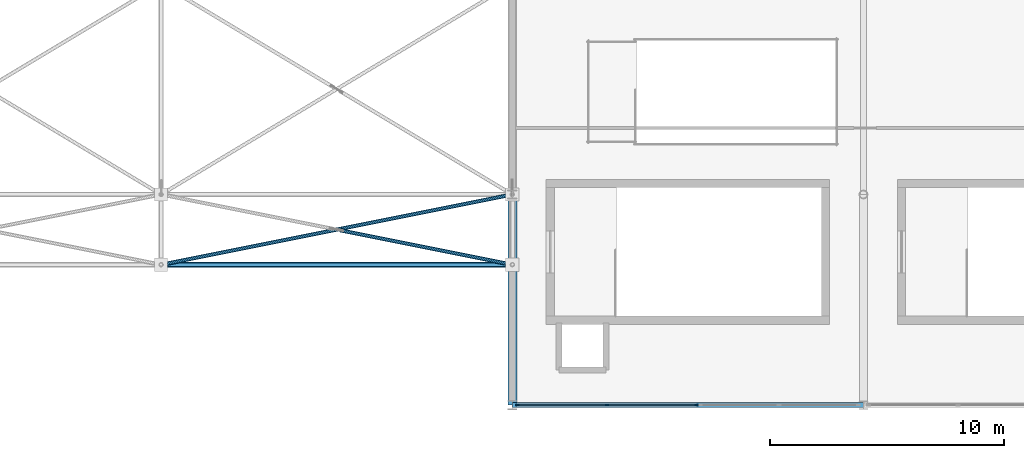
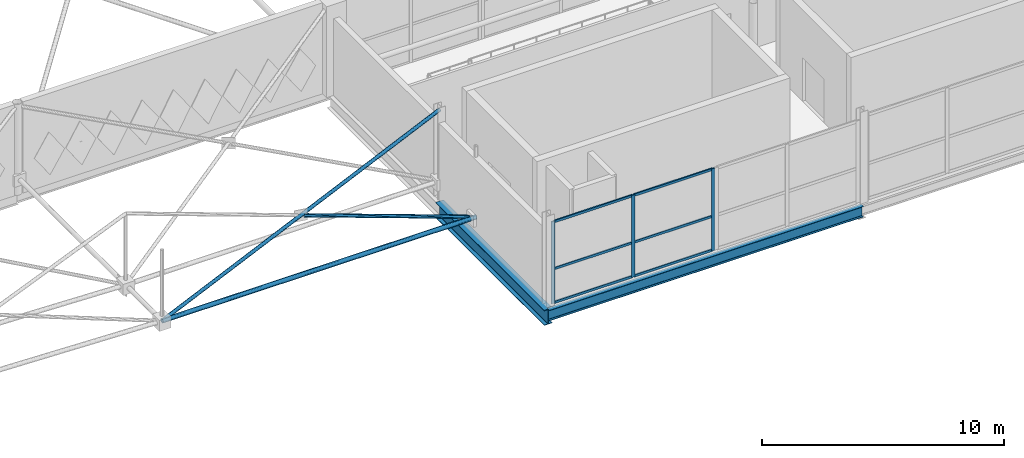
# One storey, part 41 of 224: 12 members, 2 beams, 1 element without a shape of its own.
"""IFC4 building model written with IfcOpenShell, lengths in metres."""

from ifc_helpers import new_model, si_unit, direction, frame, origin, origin_2d, place, context, subcontext, project, spatial, rectangle, hollow_circle, i_section, extrude, material, layer, layer_set, material_profile, profile_set, type_object, element, aggregate, save


model = new_model("IFC4")

# Units and contexts
model_context = context("Model", 3, precision=1e-05, world=origin(), true_north=direction((0.0, 1.0)))
body_context = subcontext(model_context, "Body", "Model", "MODEL_VIEW")
ifc_project = project(units=[si_unit("LENGTHUNIT", "METRE"), si_unit("AREAUNIT", "SQUARE_METRE"), si_unit("VOLUMEUNIT", "CUBIC_METRE"), si_unit("PLANEANGLEUNIT", "RADIAN"), si_unit("MASSUNIT", "GRAM", prefix="KILO")], contexts=[model_context])

# Site, building, storey
site_placement = place(None, origin())
site = spatial("IfcSite", under=ifc_project, at=site_placement, CompositionType="ELEMENT")
building_placement = place(site_placement, origin())
building = spatial("IfcBuilding", under=site, at=building_placement, Name="Qamarlyn Nura Convention Centre", CompositionType="ELEMENT")
storey_placement = place(building_placement, frame((0.0, 0.0, 10.800048828125)))
storey = spatial("IfcBuildingStorey", under=building, at=storey_placement, Name="L02", CompositionType="ELEMENT", Elevation=10.800048828125)

# Beams
ifc_material_1 = material(Name="Steel ASTM A992", Category="steel")
ifc_material_profile_1 = material_profile(ifc_material_1, i_section(OverallWidth=0.381103515625, OverallDepth=0.77294921875, WebThickness=0.0166015625, FlangeThickness=0.027587890625, FilletRadius=0.02001953125, at=origin_2d()), Name="W760X257")
ifc_profile_set_1 = profile_set([ifc_material_profile_1], Name="Steel ASTM A992")
beam_type_1 = type_object("IfcBeamType", Name="BM-GIRD-760", PredefinedType="BEAM", material=ifc_profile_set_1)
beam_1_placement = place(storey_placement, frame((60.0, 0.0, -0.6064453125), z_axis=(0.0, 1.0, 0.0), x_axis=(-1.0, 0.0, 0.0)))
element("IfcBeam", 1, at=beam_1_placement, inside=storey, type_object=beam_type_1, Name="L02 girder 5 A-B", PredefinedType="BEAM", context=body_context, shape_type="SweptSolid", body=[
    extrude(i_section(OverallWidth=0.381103515625, OverallDepth=0.77294921875, WebThickness=0.0166015625, FlangeThickness=0.027587890625, FilletRadius=0.02001953125, at=origin_2d()), origin(), (0.0, 0.0, 1.0), 9.0),
])
ifc_material_profile_2 = material_profile(ifc_material_1, i_section(OverallWidth=0.2109375, OverallDepth=0.5390625, WebThickness=0.01171875, FlangeThickness=0.018798828125, FilletRadius=0.013916015625, at=origin_2d()), Name="W530X109")
ifc_profile_set_2 = profile_set([ifc_material_profile_2], Name="Steel ASTM A992")
beam_type_2 = type_object("IfcBeamType", Name="BM-SPAN-530", PredefinedType="SPANDREL", material=ifc_profile_set_2)
beam_2_placement = place(storey_placement, frame((60.0, 0.0, -0.489501953125), z_axis=(1.0, 0.0, 0.0), x_axis=(0.0, 1.0, 0.0)))
element("IfcBeam", 2, at=beam_2_placement, inside=storey, type_object=beam_type_2, Name="L02 girder A 5-6", PredefinedType="SPANDREL", context=body_context, shape_type="SweptSolid", body=[
    extrude(i_section(OverallWidth=0.2109375, OverallDepth=0.5390625, WebThickness=0.01171875, FlangeThickness=0.018798828125, FilletRadius=0.013916015625, at=origin_2d()), origin(), (0.0, 0.0, 1.0), 15.0),
])

# Curtain wall, members
ifc_material_2 = material(Name="Double-silver low-E insulated glass", Category="glass")
ifc_layer = layer(ifc_material_2, 0.179931640625, Name="CW-UNIT-26")
ifc_layer_set = layer_set([ifc_layer], Name="Double-silver low-E insulated glass")
curtain_wall_type = type_object("IfcCurtainWallType", Name="CW-UNIT-26", PredefinedType="NOTDEFINED", material=ifc_layer_set)
curtain_wall_placement = place(storey_placement, origin())
curtain_wall = element("IfcCurtainWall", 3, at=curtain_wall_placement, inside=storey, type_object=curtain_wall_type, Name="L02 unitised curtain wall SF-S1-1B", PredefinedType="NOTDEFINED")
ifc_material_3 = material(Name="Champagne-anodised marine aluminium", Category="aluminium")
ifc_material_profile_3 = material_profile(ifc_material_3, rectangle(XDim=0.06494140625, YDim=0.159912109375, at=origin_2d()), Name="ALU MULLION 65x160")
ifc_profile_set_3 = profile_set([ifc_material_profile_3], Name="Champagne-anodised marine aluminium")
member_type_1 = type_object("IfcMemberType", Name="CWM-160", PredefinedType="MULLION", material=ifc_profile_set_3)
member_1_placement = place(storey_placement, frame((67.86767578125, 0.0, 0.0), z_axis=(0.0, 0.0, 1.0), x_axis=(0.0, -1.0, 0.0)))
member_1 = element("IfcMember", 4, at=member_1_placement, type_object=member_type_1, Name="CW26 mullion 1", PredefinedType="MULLION", context=body_context, shape_type="SweptSolid", body=[
    extrude(rectangle(XDim=0.06494140625, YDim=0.159912109375, at=origin_2d()), origin(), (0.0, 0.0, 1.0), 4.14404296875),
])
member_2_placement = place(storey_placement, frame((64.04345703125, 0.0, 0.0), z_axis=(0.0, 0.0, 1.0), x_axis=(0.0, -1.0, 0.0)))
member_2 = element("IfcMember", 5, at=member_2_placement, type_object=member_type_1, Name="CW26 mullion 2", PredefinedType="MULLION", context=body_context, shape_type="SweptSolid", body=[
    extrude(rectangle(XDim=0.06494140625, YDim=0.159912109375, at=origin_2d()), origin(), (0.0, 0.0, 1.0), 4.14404296875),
])
member_3_placement = place(storey_placement, frame((60.219482421875, 0.0, 0.0), z_axis=(0.0, 0.0, 1.0), x_axis=(0.0, -1.0, 0.0)))
member_3 = element("IfcMember", 6, at=member_3_placement, type_object=member_type_1, Name="CW26 mullion 3", PredefinedType="MULLION", context=body_context, shape_type="SweptSolid", body=[
    extrude(rectangle(XDim=0.06494140625, YDim=0.159912109375, at=origin_2d()), origin(), (0.0, 0.0, 1.0), 4.14404296875),
])
ifc_material_profile_4 = material_profile(ifc_material_3, rectangle(XDim=0.06494140625, YDim=0.1201171875, at=origin_2d()), Name="ALU TRANSOM 65x120")
ifc_profile_set_4 = profile_set([ifc_material_profile_4], Name="Champagne-anodised marine aluminium")
member_type_2 = type_object("IfcMemberType", Name="CWT-120", PredefinedType="USERDEFINED", material=ifc_profile_set_4)
member_4_placement = place(storey_placement, frame((67.835205078125, 0.0, 0.032470703125), z_axis=(-1.0, 0.0, 0.0), x_axis=(0.0, -1.0, 0.0)))
member_4 = element("IfcMember", 7, at=member_4_placement, type_object=member_type_2, Name="CW26 transom 1.1", ObjectType="TRANSOM", PredefinedType="USERDEFINED", context=body_context, shape_type="SweptSolid", body=[
    extrude(rectangle(XDim=0.06494140625, YDim=0.1201171875, at=origin_2d()), origin(), (0.0, 0.0, 1.0), 3.759033203125),
])
member_5_placement = place(storey_placement, frame((67.835205078125, 0.0, 1.739990234375), z_axis=(-1.0, 0.0, 0.0), x_axis=(0.0, -1.0, 0.0)))
member_5 = element("IfcMember", 8, at=member_5_placement, type_object=member_type_2, Name="CW26 transom 1.2", ObjectType="TRANSOM", PredefinedType="USERDEFINED", context=body_context, shape_type="SweptSolid", body=[
    extrude(rectangle(XDim=0.06494140625, YDim=0.1201171875, at=origin_2d()), origin(), (0.0, 0.0, 1.0), 3.759033203125),
])
member_6_placement = place(storey_placement, frame((67.835205078125, 0.0, 4.111572265625), z_axis=(-1.0, 0.0, 0.0), x_axis=(0.0, -1.0, 0.0)))
member_6 = element("IfcMember", 9, at=member_6_placement, type_object=member_type_2, Name="CW26 transom 1.3", ObjectType="TRANSOM", PredefinedType="USERDEFINED", context=body_context, shape_type="SweptSolid", body=[
    extrude(rectangle(XDim=0.06494140625, YDim=0.1201171875, at=origin_2d()), origin(), (0.0, 0.0, 1.0), 3.759033203125),
])
member_7_placement = place(storey_placement, frame((64.010986328125, 0.0, 0.032470703125), z_axis=(-1.0, 0.0, 0.0), x_axis=(0.0, -1.0, 0.0)))
member_7 = element("IfcMember", 10, at=member_7_placement, type_object=member_type_2, Name="CW26 transom 2.1", ObjectType="TRANSOM", PredefinedType="USERDEFINED", context=body_context, shape_type="SweptSolid", body=[
    extrude(rectangle(XDim=0.06494140625, YDim=0.1201171875, at=origin_2d()), origin(), (0.0, 0.0, 1.0), 3.759033203125),
])
member_8_placement = place(storey_placement, frame((64.010986328125, 0.0, 1.739990234375), z_axis=(-1.0, 0.0, 0.0), x_axis=(0.0, -1.0, 0.0)))
member_8 = element("IfcMember", 11, at=member_8_placement, type_object=member_type_2, Name="CW26 transom 2.2", ObjectType="TRANSOM", PredefinedType="USERDEFINED", context=body_context, shape_type="SweptSolid", body=[
    extrude(rectangle(XDim=0.06494140625, YDim=0.1201171875, at=origin_2d()), origin(), (0.0, 0.0, 1.0), 3.759033203125),
])
member_9_placement = place(storey_placement, frame((64.010986328125, 0.0, 4.111572265625), z_axis=(-1.0, 0.0, 0.0), x_axis=(0.0, -1.0, 0.0)))
member_9 = element("IfcMember", 12, at=member_9_placement, type_object=member_type_2, Name="CW26 transom 2.3", ObjectType="TRANSOM", PredefinedType="USERDEFINED", context=body_context, shape_type="SweptSolid", body=[
    extrude(rectangle(XDim=0.06494140625, YDim=0.1201171875, at=origin_2d()), origin(), (0.0, 0.0, 1.0), 3.759033203125),
])
aggregate(curtain_wall, [member_1, member_2, member_3, member_4, member_5, member_6, member_7, member_8, member_9])

# Members
ifc_material_4 = material(Name="Pearl-white PVDF steel ASTM A500 Grade C", Category="steel")
ifc_material_profile_5 = material_profile(ifc_material_4, hollow_circle(Radius=0.109619140625, WallThickness=0.010009765625, at=origin_2d()), Name="CHS219.1X10")
ifc_profile_set_5 = profile_set([ifc_material_profile_5], Name="Pearl-white PVDF steel ASTM A500 Grade C")
member_type_3 = type_object("IfcMemberType", Name="SF-BC-EAVE", PredefinedType="CHORD", material=ifc_profile_set_5)
member_10_placement = place(storey_placement, frame((45.0, 6.0, 0.800048828125), z_axis=(1.0, 0.0, 0.0), x_axis=(0.0, 1.0, 0.0)))
element("IfcMember", 13, at=member_10_placement, inside=storey, type_object=member_type_3, Name="ROOF TRUSS space frame bottom chord X5-0", PredefinedType="CHORD", context=body_context, shape_type="SweptSolid", body=[
    extrude(hollow_circle(Radius=0.109619140625, WallThickness=0.010009765625, at=origin_2d()), origin(), (0.0, 0.0, 1.0), 15.0),
])
ifc_material_profile_6 = material_profile(ifc_material_4, hollow_circle(Radius=0.084228515625, WallThickness=0.008056640625, at=origin_2d()), Name="CHS168.3X8")
ifc_profile_set_6 = profile_set([ifc_material_profile_6], Name="Pearl-white PVDF steel ASTM A500 Grade C")
member_type_4 = type_object("IfcMemberType", Name="SF-WEB-STD", PredefinedType="BRACE", material=ifc_profile_set_6)
member_11_placement = place(storey_placement, frame((45.0, 6.0, 0.800048828125), z_axis=(0.954506473559, 0.190901294712, 0.229072232302), x_axis=(-0.196116135138, 0.980580675691, 0.0)))
element("IfcMember", 14, at=member_11_placement, inside=storey, type_object=member_type_4, Name="ROOF TRUSS space frame diagonal A 5-0", PredefinedType="BRACE", context=body_context, shape_type="SweptSolid", body=[
    extrude(hollow_circle(Radius=0.084228515625, WallThickness=0.008056640625, at=origin_2d()), origin(), (0.0, 0.0, 1.0), 15.71484375),
])
member_12_placement = place(storey_placement, frame((60.0, 6.0, 0.800048828125), z_axis=(-0.954505726398, 0.190913799053, 0.229064924431), x_axis=(-0.196128634557, -0.980578175724, 0.0)))
element("IfcMember", 15, at=member_12_placement, inside=storey, type_object=member_type_4, Name="ROOF TRUSS space frame split diagonal B1 5-0", PredefinedType="BRACE", context=body_context, shape_type="SweptSolid", body=[
    extrude(hollow_circle(Radius=0.084228515625, WallThickness=0.008056640625, at=origin_2d()), origin(), (0.0, 0.0, 1.0), 7.717529296875),
])

save(model, "model.ifc")
